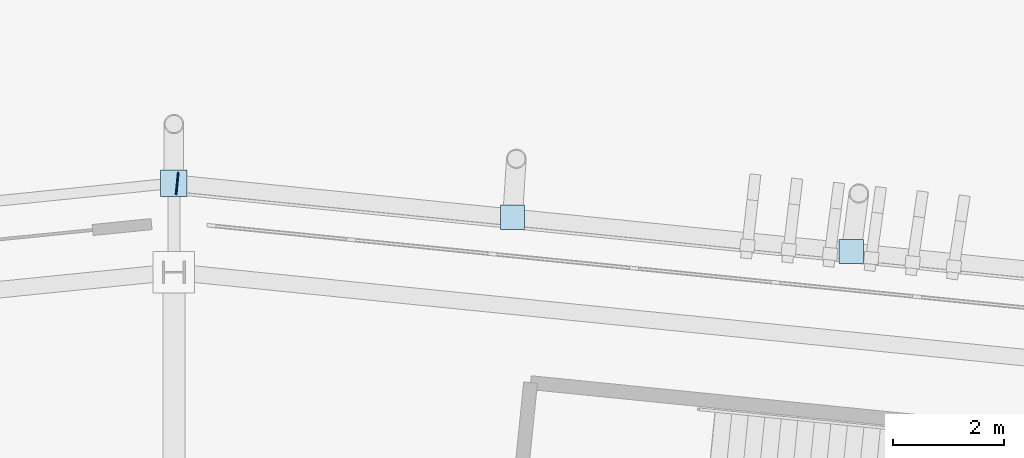
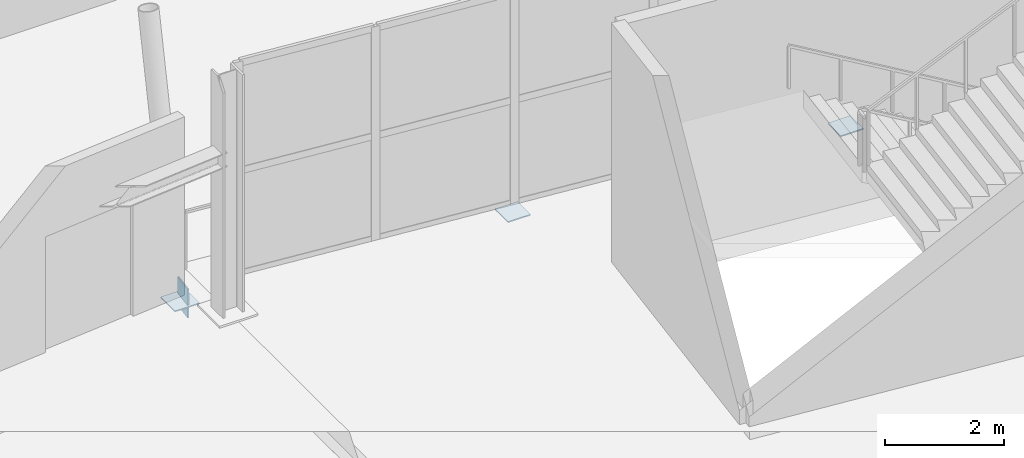
# One storey, part 117 of 178: 4 plates.
"""IFC4 building model written with IfcOpenShell, lengths in metres."""

from ifc_helpers import new_model, si_unit, direction, frame, origin, origin_2d, place, context, subcontext, project, spatial, rectangle, extrude, material, layer, layer_set, type_object, element, save


model = new_model("IFC4")

# Units and contexts
model_context = context("Model", 3, precision=1e-05, world=origin(), true_north=direction((0.0, 1.0)))
body_context = subcontext(model_context, "Body", "Model", "MODEL_VIEW")
ifc_project = project(units=[si_unit("LENGTHUNIT", "METRE"), si_unit("AREAUNIT", "SQUARE_METRE"), si_unit("VOLUMEUNIT", "CUBIC_METRE"), si_unit("PLANEANGLEUNIT", "RADIAN"), si_unit("MASSUNIT", "GRAM", prefix="KILO")], contexts=[model_context])

# Site, building, storey
site_placement = place(None, origin())
site = spatial("IfcSite", under=ifc_project, at=site_placement, CompositionType="ELEMENT")
building_placement = place(site_placement, origin())
building = spatial("IfcBuilding", under=site, at=building_placement, Name="Zlatoyarsky Gate Stadium", CompositionType="ELEMENT")
storey_placement = place(building_placement, frame((0.0, 0.0, 5.39990234375)))
storey = spatial("IfcBuildingStorey", under=building, at=storey_placement, Name="L01", CompositionType="ELEMENT", Elevation=5.39990234375)

# Plates
ifc_material = material(Name="Steel S355", Category="steel")
ifc_layer = layer(ifc_material, 0.02392578125)
ifc_layer_set = layer_set([ifc_layer], Name="Steel S355")
plate_type = type_object("IfcPlateType", Name="STEEL HOLLOW CHORD SPLICE SHEET 24", PredefinedType="SHEET", material=ifc_layer_set)
plate_1_placement = place(storey_placement, frame((111.059814453125, 152.6025390625, -1.010009765625), z_axis=(0.0, 0.0, 1.0), x_axis=(-0.994934278996, 0.100527511058, 0.0)))
element("IfcPlate", 1, at=plate_1_placement, inside=storey, type_object=plate_type, Name="Hollow end cap ND-SP1 CAP-L01-SPD-05 B", PredefinedType="SHEET", context=body_context, shape_type="SweptSolid", body=[
    extrude(rectangle(XDim=0.02392578125, YDim=0.39990234375, at=origin_2d()), origin(), (0.0, 0.0, 1.0), 0.60009765625),
])
plate_2_placement = place(storey_placement, frame((111.0, 152.6083984375, -0.77197265625), z_axis=(0.0, 0.0, 1.0), x_axis=(1.0, 0.0, 0.0)))
element("IfcPlate", 2, at=plate_2_placement, inside=storey, type_object=plate_type, Name="Node closure plate ND-SP1 NCAP-L01-RSTR-06", PredefinedType="SHEET", context=body_context, shape_type="SweptSolid", body=[
    extrude(rectangle(XDim=0.47998046875, YDim=0.47998046875, at=origin_2d()), origin(), (0.0, 0.0, 1.0), 0.02392578125),
])
for number, where, z_axis, x_axis, name in (
    (3, (123.243408203125, 151.371337890625, -0.721923828125), (0.0, 0.0, 1.0), (1.0, 0.0, 0.0), "Node closure plate ND-SP1 NCAP-RIB-05-2-0B"),
    (4, (117.12158203125, 151.989990234375, -0.721923828125), (0.0, 0.0, 1.0), (1.0, 0.0, 0.0), "Node closure plate ND-SP1 NCAP-RIB-05-3-0B"),
):
    element("IfcPlate", number, at=place(storey_placement, frame(where, z_axis=z_axis, x_axis=x_axis)), inside=storey, type_object=plate_type, Name=name, PredefinedType="SHEET", context=body_context, shape_type="SweptSolid", body=[
        extrude(rectangle(XDim=0.43994140625, YDim=0.43994140625, at=origin_2d()), origin(), (0.0, 0.0, 1.0), 0.02392578125),
    ])

save(model, "model.ifc")
